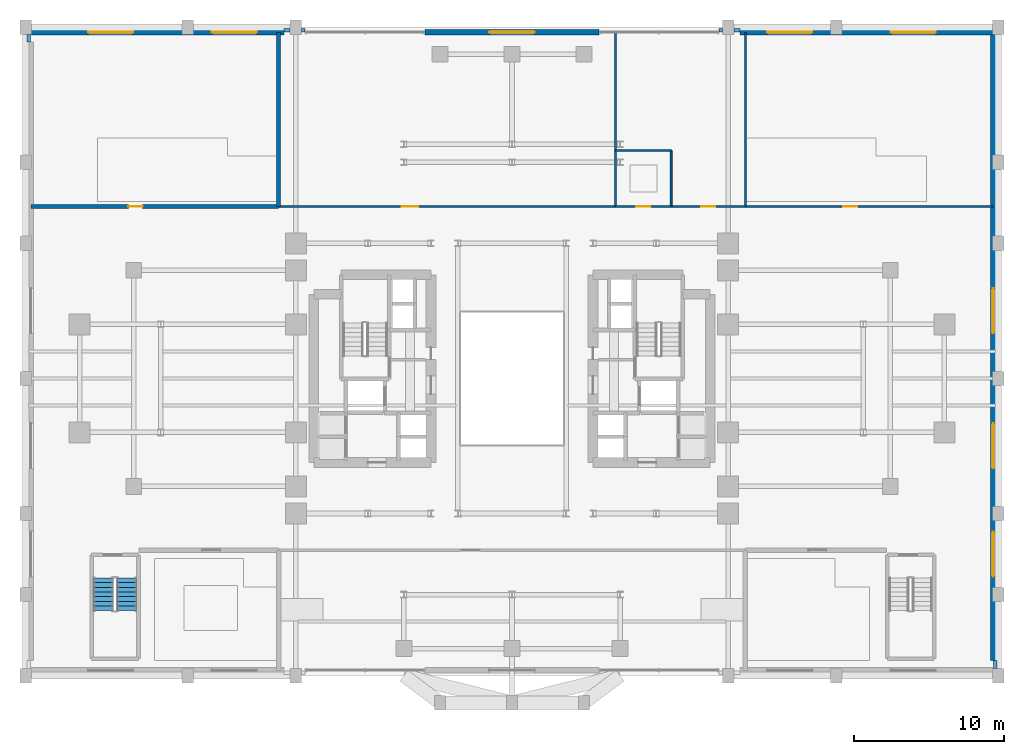
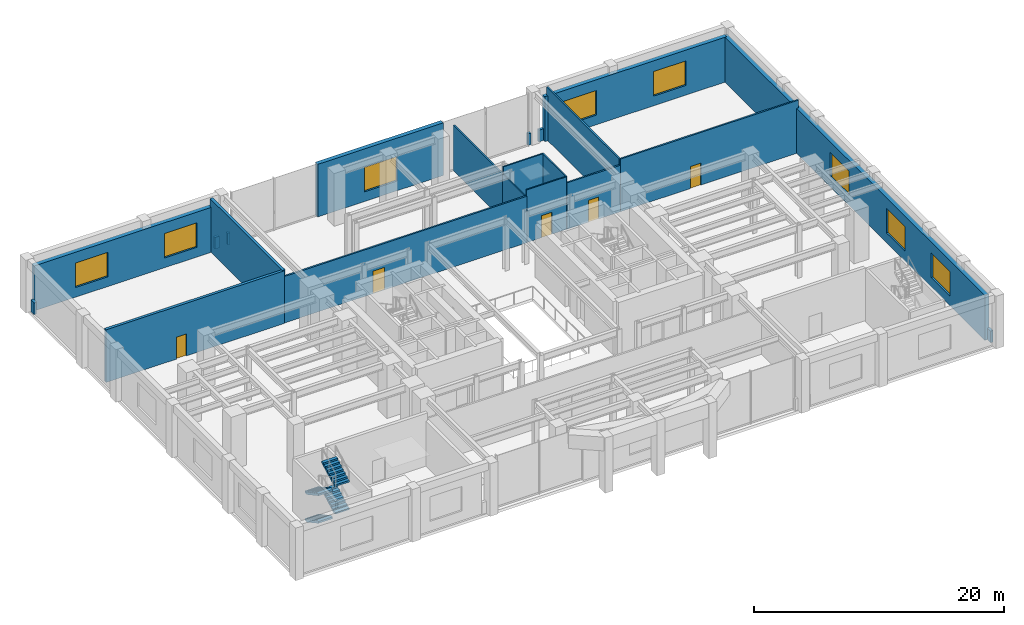
# One storey, part 12 of 16: 21 walls, 8 windows, 5 doors, 4 stair flights, 13 openings, 1 element without a shape of its own.
"""IFC4 building model written with IfcOpenShell, lengths in metres."""

from ifc_helpers import new_model, si_unit, direction, frame, frame_2d, origin, place, context, subcontext, project, spatial, polyline, rectangle, outline, extrude, source, transform, mapped, material, layer, layer_set, type_object, element, fill, aggregate, save


model = new_model("IFC4")

# Units and contexts
model_context = context("Model", 3, precision=1e-05, world=origin(), true_north=direction((0.0, 1.0)))
body_context = subcontext(model_context, "Body", "Model", "MODEL_VIEW")
ifc_project = project(units=[si_unit("LENGTHUNIT", "METRE"), si_unit("AREAUNIT", "SQUARE_METRE"), si_unit("VOLUMEUNIT", "CUBIC_METRE"), si_unit("PLANEANGLEUNIT", "RADIAN"), si_unit("MASSUNIT", "GRAM", prefix="KILO")], contexts=[model_context])

# Site, building, storey
site_placement = place(None, origin())
site = spatial("IfcSite", under=ifc_project, at=site_placement, CompositionType="ELEMENT")
building_placement = place(site_placement, origin())
building = spatial("IfcBuilding", under=site, at=building_placement, Name="Keilestroom Media Tower", CompositionType="ELEMENT")
storey_placement = place(building_placement, frame((0.0, 0.0, 10.199951171875)))
storey = spatial("IfcBuildingStorey", under=building, at=storey_placement, Name="L02", CompositionType="ELEMENT", Elevation=10.199951171875)

# Wall, opening, door
ifc_material_1 = material(Name="Concrete C45/55", Category="concrete")
ifc_layer_1 = layer(ifc_material_1, 0.25)
ifc_layer_set_1 = layer_set([ifc_layer_1], Name="Concrete C45/55")
wall_type_1 = type_object("IfcWallType", Name="Acoustic-Studio-Isolation-Wall-250", PredefinedType="SOLIDWALL", material=ifc_layer_set_1)
wall_1_placement = place(storey_placement, frame((-32.050048828125, 11.449951171875, 0.0), z_axis=(0.0, 0.0, 1.0), x_axis=(1.0, 0.0, 0.0)))
wall_1 = element("IfcWall", 1, at=wall_1_placement, inside=storey, type_object=wall_type_1, Name="L02 Interior Wall WP-L02-CTRL-NW-S", PredefinedType="SOLIDWALL", context=body_context, shape_type="SweptSolid", body=[
    extrude(rectangle(XDim=16.5, YDim=0.25, at=frame_2d((8.25, 0.0))), origin(), (0.0, 0.0, 1.0), 5.150146484375),
])
opening_1_placement = place(wall_1_placement, frame((6.5, 0.0, 0.0)))
opening_1 = element("IfcOpeningElement", 2, at=opening_1_placement, cuts=wall_1, Name="Opening DI-03", PredefinedType="OPENING", context=body_context, shape_type="SweptSolid", body=[
    extrude(rectangle(XDim=0.949951171875, YDim=2.14990234375, at=frame_2d((0.47509765625, 1.074951171875))), frame((0.0, 0.135009765625, 0.0), z_axis=(0.0, -1.0, 0.0), x_axis=(1.0, 0.0, 0.0)), (0.0, 0.0, 1.0), 0.27001953125),
])
ifc_material_2 = material(Name="Lacquered European Oak Leaf", Category="wood")
door_type_1 = type_object("IfcDoorType", Name="Interior-Room-And-Suite-Door-DI-03", OperationType="NOTDEFINED", PredefinedType="DOOR", material=ifc_material_2)
shared_shape_1 = source(origin(), body_context, "Body", "SweptSolid", [
    extrude(rectangle(XDim=0.949951171875, YDim=2.14990234375, at=frame_2d((0.47509765625, 1.074951171875))), frame((0.0, 0.02490234375, 0.0), z_axis=(0.0, -1.0, 0.0), x_axis=(1.0, 0.0, 0.0)), (0.0, 0.0, 1.0), 0.050048828125),
])
door_1_placement = place(opening_1_placement, origin())
door_1 = element("IfcDoor", 3, at=door_1_placement, inside=storey, type_object=door_type_1, Name="L02 Interior Door DI-L02-CTRL-NW-D", OperationType="SINGLE_SWING_LEFT", OverallHeight=2.14990234375, OverallWidth=0.949951171875, PredefinedType="DOOR", context=body_context, shape_type="MappedRepresentation", body=[
    mapped(shared_shape_1, transform((0.0, 0.0, 0.0), x_axis=(1.0, 0.0, 0.0), y_axis=(0.0, 1.0, 0.0), z_axis=(0.0, 0.0, 1.0), scale=1.0)),
])
fill(opening_1, door_1)

# Wall
wall_2_placement = place(storey_placement, frame((-15.550048828125, 11.449951171875, 0.0), z_axis=(0.0, 0.0, 1.0), x_axis=(0.0, 1.0, 0.0)))
element("IfcWall", 4, at=wall_2_placement, inside=storey, type_object=wall_type_1, Name="L02 Interior Wall WP-L02-CTRL-NW-E", PredefinedType="SOLIDWALL", context=body_context, shape_type="SweptSolid", body=[
    extrude(rectangle(XDim=11.60009765625, YDim=0.25, at=frame_2d((5.800048828125, 0.0))), origin(), (0.0, 0.0, 1.0), 5.150146484375),
])

# Wall, openings, windows
ifc_material_3 = material(Name="Precast concrete C40/50", Category="concrete")
ifc_layer_2 = layer(ifc_material_3, 0.3798828125)
ifc_layer_set_2 = layer_set([ifc_layer_2], Name="Precast concrete C40/50")
wall_type_2 = type_object("IfcWallType", Name="Exterior-Masonry-Spandrel-Wall-380", PredefinedType="SOLIDWALL", material=ifc_layer_set_2)
wall_3_placement = place(storey_placement, frame((-32.050048828125, 23.050048828125, 0.0), z_axis=(0.0, 0.0, 1.0), x_axis=(1.0, 0.0, 0.0)))
wall_3 = element("IfcWall", 5, at=wall_3_placement, inside=storey, type_object=wall_type_2, Name="L02 Podium Precast Masonry Wall EWL-L02-N-W", PredefinedType="SOLIDWALL", context=body_context, shape_type="SweptSolid", body=[
    extrude(rectangle(XDim=16.85009765625, YDim=0.3798828125, at=frame_2d((8.425048828125, 0.0))), origin(), (0.0, 0.0, 1.0), 4.400146484375),
])
opening_2_placement = place(wall_3_placement, frame((3.81201171875, 0.0, 0.949951171875)))
opening_2 = element("IfcOpeningElement", 6, at=opening_2_placement, cuts=wall_3, Name="Opening WN-05", PredefinedType="OPENING", context=body_context, shape_type="SweptSolid", body=[
    extrude(rectangle(XDim=3.0, YDim=2.39990234375, at=frame_2d((1.5, 1.199951171875))), frame((0.0, 0.199951171875, 0.0), z_axis=(0.0, -1.0, 0.0), x_axis=(1.0, 0.0, 0.0)), (0.0, 0.0, 1.0), 0.39990234375),
])
opening_3_placement = place(wall_3_placement, frame((12.06201171875, 0.0, 0.949951171875)))
opening_3 = element("IfcOpeningElement", 7, at=opening_3_placement, cuts=wall_3, Name="Opening WN-05", PredefinedType="OPENING", context=body_context, shape_type="SweptSolid", body=[
    extrude(rectangle(XDim=3.0, YDim=2.39990234375, at=frame_2d((1.5, 1.199951171875))), frame((0.0, 0.199951171875, 0.0), z_axis=(0.0, -1.0, 0.0), x_axis=(1.0, 0.0, 0.0)), (0.0, 0.0, 1.0), 0.39990234375),
])
ifc_material_4 = material(Name="Acoustic Studio Observation Window", Category="glass")
window_type = type_object("IfcWindowType", Name="Recessed-Punched-Window-WN-05", PartitioningType="TRIPLE_PANEL_VERTICAL", PredefinedType="WINDOW", material=ifc_material_4)
shared_shape_2 = source(origin(), body_context, "Body", "SweptSolid", [
    extrude(rectangle(XDim=3.0, YDim=2.39990234375, at=frame_2d((1.5, 1.199951171875))), frame((0.0, 0.030029296875, 0.0), z_axis=(0.0, -1.0, 0.0), x_axis=(1.0, 0.0, 0.0)), (0.0, 0.0, 1.0), 0.06005859375),
])
window_1_placement = place(opening_2_placement, origin())
window_1 = element("IfcWindow", 8, at=window_1_placement, inside=storey, type_object=window_type, Name="L02 Window WN-05 EWL-L02-N-W-1", OverallHeight=2.39990234375, OverallWidth=3.0, PartitioningType="SINGLE_PANEL", PredefinedType="WINDOW", context=body_context, shape_type="MappedRepresentation", body=[
    mapped(shared_shape_2, transform((0.0, 0.0, 0.0), x_axis=(1.0, 0.0, 0.0), y_axis=(0.0, 1.0, 0.0), z_axis=(0.0, 0.0, 1.0), scale=1.0)),
])
fill(opening_2, window_1)
window_2_placement = place(opening_3_placement, origin())
window_2 = element("IfcWindow", 9, at=window_2_placement, inside=storey, type_object=window_type, Name="L02 Window WN-05 EWL-L02-N-W-2", OverallHeight=2.39990234375, OverallWidth=3.0, PartitioningType="SINGLE_PANEL", PredefinedType="WINDOW", context=body_context, shape_type="MappedRepresentation", body=[
    mapped(shared_shape_2, transform((0.0, 0.0, 0.0), x_axis=(1.0, 0.0, 0.0), y_axis=(0.0, 1.0, 0.0), z_axis=(0.0, 0.0, 1.0), scale=1.0)),
])
fill(opening_3, window_2)

wall_4_placement = place(storey_placement, frame((15.199951171875, 23.050048828125, 0.0), z_axis=(0.0, 0.0, 1.0), x_axis=(1.0, 0.0, 0.0)))
wall_4 = element("IfcWall", 10, at=wall_4_placement, inside=storey, type_object=wall_type_2, Name="L02 Podium Precast Masonry Wall EWL-L02-N-E", PredefinedType="SOLIDWALL", context=body_context, shape_type="SweptSolid", body=[
    extrude(rectangle(XDim=16.85009765625, YDim=0.3798828125, at=frame_2d((8.425048828125, 0.0))), origin(), (0.0, 0.0, 1.0), 4.400146484375),
])
opening_4_placement = place(wall_4_placement, frame((1.7880859375, 0.0, 0.949951171875)))
opening_4 = element("IfcOpeningElement", 11, at=opening_4_placement, cuts=wall_4, Name="Opening WN-05", PredefinedType="OPENING", context=body_context, shape_type="SweptSolid", body=[
    extrude(rectangle(XDim=3.0, YDim=2.39990234375, at=frame_2d((1.5, 1.199951171875))), frame((0.0, 0.199951171875, 0.0), z_axis=(0.0, -1.0, 0.0), x_axis=(1.0, 0.0, 0.0)), (0.0, 0.0, 1.0), 0.39990234375),
])
opening_5_placement = place(wall_4_placement, frame((10.037109375, 0.0, 0.949951171875)))
opening_5 = element("IfcOpeningElement", 12, at=opening_5_placement, cuts=wall_4, Name="Opening WN-05", PredefinedType="OPENING", context=body_context, shape_type="SweptSolid", body=[
    extrude(rectangle(XDim=3.0, YDim=2.39990234375, at=frame_2d((1.5, 1.199951171875))), frame((0.0, 0.199951171875, 0.0), z_axis=(0.0, -1.0, 0.0), x_axis=(1.0, 0.0, 0.0)), (0.0, 0.0, 1.0), 0.39990234375),
])
window_3_placement = place(opening_4_placement, origin())
window_3 = element("IfcWindow", 13, at=window_3_placement, inside=storey, type_object=window_type, Name="L02 Window WN-05 EWL-L02-N-E-1", OverallHeight=2.39990234375, OverallWidth=3.0, PartitioningType="SINGLE_PANEL", PredefinedType="WINDOW", context=body_context, shape_type="MappedRepresentation", body=[
    mapped(shared_shape_2, transform((0.0, 0.0, 0.0), x_axis=(1.0, 0.0, 0.0), y_axis=(0.0, 1.0, 0.0), z_axis=(0.0, 0.0, 1.0), scale=1.0)),
])
fill(opening_4, window_3)
window_4_placement = place(opening_5_placement, origin())
window_4 = element("IfcWindow", 14, at=window_4_placement, inside=storey, type_object=window_type, Name="L02 Window WN-05 EWL-L02-N-E-2", OverallHeight=2.39990234375, OverallWidth=3.0, PartitioningType="SINGLE_PANEL", PredefinedType="WINDOW", context=body_context, shape_type="MappedRepresentation", body=[
    mapped(shared_shape_2, transform((0.0, 0.0, 0.0), x_axis=(1.0, 0.0, 0.0), y_axis=(0.0, 1.0, 0.0), z_axis=(0.0, 0.0, 1.0), scale=1.0)),
])
fill(opening_5, window_4)

wall_5_placement = place(storey_placement, frame((32.050048828125, -18.800048828125, 0.0), z_axis=(0.0, 0.0, 1.0), x_axis=(0.0, 1.0, 0.0)))
wall_5 = element("IfcWall", 15, at=wall_5_placement, inside=storey, type_object=wall_type_2, Name="L02 Podium Precast Masonry Wall EWL-L02-E-M", PredefinedType="SOLIDWALL", context=body_context, shape_type="SweptSolid", body=[
    extrude(rectangle(XDim=42.0, YDim=0.3798828125, at=frame_2d((21.0, 0.0))), origin(), (0.0, 0.0, 1.0), 4.400146484375),
])
opening_6_placement = place(wall_5_placement, frame((5.60009765625, 0.0, 0.949951171875)))
opening_6 = element("IfcOpeningElement", 16, at=opening_6_placement, cuts=wall_5, Name="Opening WN-05", PredefinedType="OPENING", context=body_context, shape_type="SweptSolid", body=[
    extrude(rectangle(XDim=3.0, YDim=2.39990234375, at=frame_2d((1.5, 1.199951171875))), frame((0.0, 0.199951171875, 0.0), z_axis=(0.0, -1.0, 0.0), x_axis=(1.0, 0.0, 0.0)), (0.0, 0.0, 1.0), 0.39990234375),
])
opening_7_placement = place(wall_5_placement, frame((12.800048828125, 0.0, 0.949951171875)))
opening_7 = element("IfcOpeningElement", 17, at=opening_7_placement, cuts=wall_5, Name="Opening WN-05", PredefinedType="OPENING", context=body_context, shape_type="SweptSolid", body=[
    extrude(rectangle(XDim=3.0, YDim=2.39990234375, at=frame_2d((1.5, 1.199951171875))), frame((0.0, 0.199951171875, 0.0), z_axis=(0.0, -1.0, 0.0), x_axis=(1.0, 0.0, 0.0)), (0.0, 0.0, 1.0), 0.39990234375),
])
opening_8_placement = place(wall_5_placement, frame((21.800048828125, 0.0, 0.949951171875)))
opening_8 = element("IfcOpeningElement", 18, at=opening_8_placement, cuts=wall_5, Name="Opening WN-05", PredefinedType="OPENING", context=body_context, shape_type="SweptSolid", body=[
    extrude(rectangle(XDim=3.0, YDim=2.39990234375, at=frame_2d((1.5, 1.199951171875))), frame((0.0, 0.199951171875, 0.0), z_axis=(0.0, -1.0, 0.0), x_axis=(1.0, 0.0, 0.0)), (0.0, 0.0, 1.0), 0.39990234375),
])
window_5_placement = place(opening_6_placement, origin())
window_5 = element("IfcWindow", 19, at=window_5_placement, inside=storey, type_object=window_type, Name="L02 Window WN-05 EWL-L02-E-M-1", OverallHeight=2.39990234375, OverallWidth=3.0, PartitioningType="SINGLE_PANEL", PredefinedType="WINDOW", context=body_context, shape_type="MappedRepresentation", body=[
    mapped(shared_shape_2, transform((0.0, 0.0, 0.0), x_axis=(1.0, 0.0, 0.0), y_axis=(0.0, 1.0, 0.0), z_axis=(0.0, 0.0, 1.0), scale=1.0)),
])
fill(opening_6, window_5)
window_6_placement = place(opening_7_placement, origin())
window_6 = element("IfcWindow", 20, at=window_6_placement, inside=storey, type_object=window_type, Name="L02 Window WN-05 EWL-L02-E-M-2", OverallHeight=2.39990234375, OverallWidth=3.0, PartitioningType="SINGLE_PANEL", PredefinedType="WINDOW", context=body_context, shape_type="MappedRepresentation", body=[
    mapped(shared_shape_2, transform((0.0, 0.0, 0.0), x_axis=(1.0, 0.0, 0.0), y_axis=(0.0, 1.0, 0.0), z_axis=(0.0, 0.0, 1.0), scale=1.0)),
])
fill(opening_7, window_6)
window_7_placement = place(opening_8_placement, origin())
window_7 = element("IfcWindow", 21, at=window_7_placement, inside=storey, type_object=window_type, Name="L02 Window WN-05 EWL-L02-E-M-3", OverallHeight=2.39990234375, OverallWidth=3.0, PartitioningType="SINGLE_PANEL", PredefinedType="WINDOW", context=body_context, shape_type="MappedRepresentation", body=[
    mapped(shared_shape_2, transform((0.0, 0.0, 0.0), x_axis=(1.0, 0.0, 0.0), y_axis=(0.0, 1.0, 0.0), z_axis=(0.0, 0.0, 1.0), scale=1.0)),
])
fill(opening_8, window_7)

# Wall, opening, window
wall_6_placement = place(storey_placement, frame((-5.804931640625, 23.050048828125, 0.0), z_axis=(0.0, 0.0, 1.0), x_axis=(1.0, 0.0, 0.0)))
wall_6 = element("IfcWall", 22, at=wall_6_placement, inside=storey, type_object=wall_type_2, Name="L02 Podium Precast Masonry Wall EWL-L02-N-C-1", PredefinedType="SOLIDWALL", context=body_context, shape_type="SweptSolid", body=[
    extrude(rectangle(XDim=11.60986328125, YDim=0.3798828125, at=frame_2d((5.804931640625, 0.0))), origin(), (0.0, 0.0, 1.0), 5.150146484375),
])
opening_9_placement = place(wall_6_placement, frame((4.304931640625, 0.0, 0.949951171875)))
opening_9 = element("IfcOpeningElement", 23, at=opening_9_placement, cuts=wall_6, Name="Opening WN-05", PredefinedType="OPENING", context=body_context, shape_type="SweptSolid", body=[
    extrude(rectangle(XDim=3.0, YDim=2.39990234375, at=frame_2d((1.5, 1.199951171875))), frame((0.0, 0.199951171875, 0.0), z_axis=(0.0, -1.0, 0.0), x_axis=(1.0, 0.0, 0.0)), (0.0, 0.0, 1.0), 0.39990234375),
])
window_8_placement = place(opening_9_placement, origin())
window_8 = element("IfcWindow", 24, at=window_8_placement, inside=storey, type_object=window_type, Name="L02 Window WN-05 EWL-L02-N-C-1-1", OverallHeight=2.39990234375, OverallWidth=3.0, PartitioningType="SINGLE_PANEL", PredefinedType="WINDOW", context=body_context, shape_type="MappedRepresentation", body=[
    mapped(shared_shape_2, transform((0.0, 0.0, 0.0), x_axis=(1.0, 0.0, 0.0), y_axis=(0.0, 1.0, 0.0), z_axis=(0.0, 0.0, 1.0), scale=1.0)),
])
fill(opening_9, window_8)

# Wall, opening, door
ifc_material_5 = material(Name="Gypsum Plasterboard & Steel Stud", Category="steel")
ifc_layer_3 = layer(ifc_material_5, 0.1201171875)
ifc_layer_set_3 = layer_set([ifc_layer_3], Name="Gypsum Plasterboard & Steel Stud")
wall_type_3 = type_object("IfcWallType", Name="Interior-Partition-Wall-120", PredefinedType="PARTITIONING", material=ifc_layer_set_3)
wall_7_placement = place(storey_placement, frame((6.89990234375, 11.449951171875, 0.0), z_axis=(0.0, 0.0, 1.0), x_axis=(1.0, 0.0, 0.0)))
wall_7 = element("IfcWall", 25, at=wall_7_placement, inside=storey, type_object=wall_type_3, Name="L02 Interior Wall WP-L02-WC-POD-S", PredefinedType="PARTITIONING", context=body_context, shape_type="SweptSolid", body=[
    extrude(rectangle(XDim=3.7001953125, YDim=0.1201171875, at=frame_2d((1.85009765625, 0.0))), origin(), (0.0, 0.0, 1.0), 5.150146484375),
])
opening_10_placement = place(wall_7_placement, frame((1.375, 0.0, 0.0)))
opening_10 = element("IfcOpeningElement", 26, at=opening_10_placement, cuts=wall_7, Name="Opening DI-03", PredefinedType="OPENING", context=body_context, shape_type="SweptSolid", body=[
    extrude(rectangle(XDim=0.949951171875, YDim=2.14990234375, at=frame_2d((0.47509765625, 1.074951171875))), frame((0.0, 0.070068359375, 0.0), z_axis=(0.0, -1.0, 0.0), x_axis=(1.0, 0.0, 0.0)), (0.0, 0.0, 1.0), 0.14013671875),
])
door_2_placement = place(opening_10_placement, origin())
door_2 = element("IfcDoor", 27, at=door_2_placement, inside=storey, type_object=door_type_1, Name="L02 Interior Door DI-L02-DWC-POD", OperationType="SINGLE_SWING_RIGHT", OverallHeight=2.14990234375, OverallWidth=0.949951171875, PredefinedType="DOOR", context=body_context, shape_type="MappedRepresentation", body=[
    mapped(shared_shape_1, transform((0.0, 0.0, 0.0), x_axis=(1.0, 0.0, 0.0), y_axis=(0.0, 1.0, 0.0), z_axis=(0.0, 0.0, 1.0), scale=1.0)),
])
fill(opening_10, door_2)

# Walls
wall_8_placement = place(storey_placement, frame((6.89990234375, 15.179931640625, 0.0), z_axis=(0.0, 0.0, 1.0), x_axis=(1.0, 0.0, 0.0)))
element("IfcWall", 28, at=wall_8_placement, inside=storey, type_object=wall_type_3, Name="L02 Interior Wall WP-L02-WC-POD-N", PredefinedType="PARTITIONING", context=body_context, shape_type="SweptSolid", body=[
    extrude(rectangle(XDim=3.7001953125, YDim=0.1201171875, at=frame_2d((1.85009765625, 0.0))), origin(), (0.0, 0.0, 1.0), 5.150146484375),
])
wall_9_placement = place(storey_placement, frame((6.89990234375, 11.449951171875, 0.0), z_axis=(0.0, 0.0, 1.0), x_axis=(0.0, 1.0, 0.0)))
element("IfcWall", 29, at=wall_9_placement, inside=storey, type_object=wall_type_3, Name="L02 Interior Wall WP-L02-WC-POD-W", PredefinedType="PARTITIONING", context=body_context, shape_type="SweptSolid", body=[
    extrude(rectangle(XDim=3.72998046875, YDim=0.1201171875, at=frame_2d((1.864990234375, 0.0))), origin(), (0.0, 0.0, 1.0), 4.449951171875),
])
wall_10_placement = place(storey_placement, frame((10.60009765625, 11.449951171875, 0.0), z_axis=(0.0, 0.0, 1.0), x_axis=(0.0, 1.0, 0.0)))
element("IfcWall", 30, at=wall_10_placement, inside=storey, type_object=wall_type_3, Name="L02 Interior Wall WP-L02-WC-POD-E", PredefinedType="PARTITIONING", context=body_context, shape_type="SweptSolid", body=[
    extrude(rectangle(XDim=3.72998046875, YDim=0.1201171875, at=frame_2d((1.864990234375, 0.0))), origin(), (0.0, 0.0, 1.0), 5.150146484375),
])

# Wall, opening, door
ifc_layer_4 = layer(ifc_material_5, 0.14990234375)
ifc_layer_set_4 = layer_set([ifc_layer_4], Name="Gypsum Plasterboard & Steel Stud")
wall_type_4 = type_object("IfcWallType", Name="Interior-Partition-Wall-150", PredefinedType="PARTITIONING", material=ifc_layer_set_4)
wall_11_placement = place(storey_placement, frame((15.550048828125, 11.449951171875, 0.0), z_axis=(0.0, 0.0, 1.0), x_axis=(1.0, 0.0, 0.0)))
wall_11 = element("IfcWall", 31, at=wall_11_placement, inside=storey, type_object=wall_type_4, Name="L02 Interior Wall WP-L02-EDIT-NE-S", PredefinedType="PARTITIONING", context=body_context, shape_type="SweptSolid", body=[
    extrude(rectangle(XDim=16.5, YDim=0.14990234375, at=frame_2d((8.25, 0.0))), origin(), (0.0, 0.0, 1.0), 5.150146484375),
])
opening_11_placement = place(wall_11_placement, frame((6.5, 0.0, 0.0)))
opening_11 = element("IfcOpeningElement", 32, at=opening_11_placement, cuts=wall_11, Name="Opening DI-03", PredefinedType="OPENING", context=body_context, shape_type="SweptSolid", body=[
    extrude(rectangle(XDim=0.949951171875, YDim=2.14990234375, at=frame_2d((0.47509765625, 1.074951171875))), frame((0.0, 0.0849609375, 0.0), z_axis=(0.0, -1.0, 0.0), x_axis=(1.0, 0.0, 0.0)), (0.0, 0.0, 1.0), 0.169921875),
])
door_3_placement = place(opening_11_placement, origin())
door_3 = element("IfcDoor", 33, at=door_3_placement, inside=storey, type_object=door_type_1, Name="L02 Interior Door DI-L02-EDIT-NE-D", OperationType="SINGLE_SWING_RIGHT", OverallHeight=2.14990234375, OverallWidth=0.949951171875, PredefinedType="DOOR", context=body_context, shape_type="MappedRepresentation", body=[
    mapped(shared_shape_1, transform((0.0, 0.0, 0.0), x_axis=(1.0, 0.0, 0.0), y_axis=(0.0, 1.0, 0.0), z_axis=(0.0, 0.0, 1.0), scale=1.0)),
])
fill(opening_11, door_3)

# Wall
wall_12_placement = place(storey_placement, frame((15.550048828125, 11.449951171875, 0.0), z_axis=(0.0, 0.0, 1.0), x_axis=(0.0, 1.0, 0.0)))
element("IfcWall", 34, at=wall_12_placement, inside=storey, type_object=wall_type_4, Name="L02 Interior Wall WP-L02-EDIT-NE-W", PredefinedType="PARTITIONING", context=body_context, shape_type="SweptSolid", body=[
    extrude(rectangle(XDim=11.60009765625, YDim=0.14990234375, at=frame_2d((5.800048828125, 0.0))), origin(), (0.0, 0.0, 1.0), 5.150146484375),
])

# Wall, opening, door
wall_13_placement = place(storey_placement, frame((-15.550048828125, 11.449951171875, 0.0), z_axis=(0.0, 0.0, 1.0), x_axis=(1.0, 0.0, 0.0)))
wall_13 = element("IfcWall", 35, at=wall_13_placement, inside=storey, type_object=wall_type_4, Name="L02 Interior Wall WP-L02-GREEN-N-S", PredefinedType="PARTITIONING", context=body_context, shape_type="SweptSolid", body=[
    extrude(rectangle(XDim=22.449951171875, YDim=0.14990234375, at=frame_2d((11.22509765625, 0.0))), origin(), (0.0, 0.0, 1.0), 4.550048828125),
])
opening_12_placement = place(wall_13_placement, frame((8.199951171875, 0.0, 0.0)))
opening_12 = element("IfcOpeningElement", 36, at=opening_12_placement, cuts=wall_13, Name="Opening DI-04", PredefinedType="OPENING", context=body_context, shape_type="SweptSolid", body=[
    extrude(rectangle(XDim=1.10009765625, YDim=2.199951171875, at=frame_2d((0.550048828125, 1.10009765625))), frame((0.0, 0.0849609375, 0.0), z_axis=(0.0, -1.0, 0.0), x_axis=(1.0, 0.0, 0.0)), (0.0, 0.0, 1.0), 0.169921875),
])
ifc_material_6 = material(Name="Acoustic Glazed Aluminium Leaf", Category="aluminium")
door_type_2 = type_object("IfcDoorType", Name="Interior-Room-And-Suite-Door-DI-04", OperationType="NOTDEFINED", PredefinedType="DOOR", material=ifc_material_6)
shared_shape_3 = source(origin(), body_context, "Body", "SweptSolid", [
    extrude(rectangle(XDim=1.10009765625, YDim=2.199951171875, at=frame_2d((0.550048828125, 1.10009765625))), frame((0.0, 0.02490234375, 0.0), z_axis=(0.0, -1.0, 0.0), x_axis=(1.0, 0.0, 0.0)), (0.0, 0.0, 1.0), 0.050048828125),
])
door_4_placement = place(opening_12_placement, origin())
door_4 = element("IfcDoor", 37, at=door_4_placement, inside=storey, type_object=door_type_2, Name="L02 Interior Door DI-L02-GREEN-N-D", OperationType="SINGLE_SWING_LEFT", OverallHeight=2.199951171875, OverallWidth=1.10009765625, PredefinedType="DOOR", context=body_context, shape_type="MappedRepresentation", body=[
    mapped(shared_shape_3, transform((0.0, 0.0, 0.0), x_axis=(1.0, 0.0, 0.0), y_axis=(0.0, 1.0, 0.0), z_axis=(0.0, 0.0, 1.0), scale=1.0)),
])
fill(opening_12, door_4)

# Wall
wall_14_placement = place(storey_placement, frame((6.89990234375, 15.179931640625, 0.0), z_axis=(0.0, 0.0, 1.0), x_axis=(0.0, 1.0, 0.0)))
element("IfcWall", 38, at=wall_14_placement, inside=storey, type_object=wall_type_4, Name="L02 Interior Wall WP-L02-GREEN-N-E", PredefinedType="PARTITIONING", context=body_context, shape_type="SweptSolid", body=[
    extrude(rectangle(XDim=7.8701171875, YDim=0.14990234375, at=frame_2d((3.93505859375, 0.0))), origin(), (0.0, 0.0, 1.0), 4.449951171875),
])

# Wall, opening, door
wall_15_placement = place(storey_placement, frame((10.60009765625, 11.449951171875, 0.0), z_axis=(0.0, 0.0, 1.0), x_axis=(1.0, 0.0, 0.0)))
wall_15 = element("IfcWall", 39, at=wall_15_placement, inside=storey, type_object=wall_type_4, Name="L02 Interior Wall WP-L02-WARD-NE-S", PredefinedType="PARTITIONING", context=body_context, shape_type="SweptSolid", body=[
    extrude(rectangle(XDim=4.949951171875, YDim=0.14990234375, at=frame_2d((2.47509765625, 0.0))), origin(), (0.0, 0.0, 1.0), 4.550048828125),
])
opening_13_placement = place(wall_15_placement, frame((2.0, 0.0, 0.0)))
opening_13 = element("IfcOpeningElement", 40, at=opening_13_placement, cuts=wall_15, Name="Opening DI-03", PredefinedType="OPENING", context=body_context, shape_type="SweptSolid", body=[
    extrude(rectangle(XDim=0.949951171875, YDim=2.14990234375, at=frame_2d((0.47509765625, 1.074951171875))), frame((0.0, 0.0849609375, 0.0), z_axis=(0.0, -1.0, 0.0), x_axis=(1.0, 0.0, 0.0)), (0.0, 0.0, 1.0), 0.169921875),
])
door_5_placement = place(opening_13_placement, origin())
door_5 = element("IfcDoor", 41, at=door_5_placement, inside=storey, type_object=door_type_1, Name="L02 Interior Door DI-L02-WARD-NE-D", OperationType="SINGLE_SWING_RIGHT", OverallHeight=2.14990234375, OverallWidth=0.949951171875, PredefinedType="DOOR", context=body_context, shape_type="MappedRepresentation", body=[
    mapped(shared_shape_1, transform((0.0, 0.0, 0.0), x_axis=(1.0, 0.0, 0.0), y_axis=(0.0, 1.0, 0.0), z_axis=(0.0, 0.0, 1.0), scale=1.0)),
])
fill(opening_13, door_5)

# Walls
ifc_layer_5 = layer(ifc_material_3, 0.239990234375)
ifc_layer_set_5 = layer_set([ifc_layer_5], Name="Precast concrete C40/50")
wall_type_5 = type_object("IfcWallType", Name="Roof-And-Terrace-Parapet-Wall-240", PredefinedType="PARAPET", material=ifc_layer_set_5)
wall_16_placement = place(storey_placement, frame((-32.199951171875, 22.403076171875, 0.0), z_axis=(0.0, 0.0, 1.0), x_axis=(0.0, 1.0, 0.0)))
element("IfcWall", 42, at=wall_16_placement, inside=storey, type_object=wall_type_5, Name="L02 Perimeter Edge Parapet Wall 02", PredefinedType="PARAPET", context=body_context, shape_type="SweptSolid", body=[
    extrude(rectangle(XDim=0.51904296875, YDim=0.239990234375, at=frame_2d((0.259521484375, 0.0))), origin(), (0.0, 0.0, 1.0), 1.150146484375),
])
wall_17_placement = place(storey_placement, frame((-15.197021484375, 23.199951171875, 0.0), z_axis=(0.0, 0.0, 1.0), x_axis=(1.0, 0.0, 0.0)))
element("IfcWall", 43, at=wall_17_placement, inside=storey, type_object=wall_type_5, Name="L02 Perimeter Edge Parapet Wall 03", PredefinedType="PARAPET", context=body_context, shape_type="SweptSolid", body=[
    extrude(rectangle(XDim=0.4189453125, YDim=0.239990234375, at=frame_2d((0.20947265625, 0.0))), origin(), (0.0, 0.0, 1.0), 1.150146484375),
])
for number, where, z_axis, x_axis, name in (
    (44, (-14.02197265625, 23.199951171875, 0.0), (0.0, 0.0, 1.0), (1.0, 0.0, 0.0), "L02 Perimeter Edge Parapet Wall 04"),
    (45, (13.782958984375, 23.199951171875, 0.0), (0.0, 0.0, 1.0), (1.0, 0.0, 0.0), "L02 Perimeter Edge Parapet Wall 05"),
):
    element("IfcWall", number, at=place(storey_placement, frame(where, z_axis=z_axis, x_axis=x_axis)), inside=storey, type_object=wall_type_5, Name=name, PredefinedType="PARAPET", context=body_context, shape_type="SweptSolid", body=[
        extrude(rectangle(XDim=0.239013671875, YDim=0.239990234375, at=frame_2d((0.11962890625, 0.0))), origin(), (0.0, 0.0, 1.0), 1.150146484375),
    ])
wall_18_placement = place(storey_placement, frame((14.778076171875, 23.199951171875, 0.0), z_axis=(0.0, 0.0, 1.0), x_axis=(1.0, 0.0, 0.0)))
element("IfcWall", 46, at=wall_18_placement, inside=storey, type_object=wall_type_5, Name="L02 Perimeter Edge Parapet Wall 06", PredefinedType="PARAPET", context=body_context, shape_type="SweptSolid", body=[
    extrude(rectangle(XDim=0.4189453125, YDim=0.239990234375, at=frame_2d((0.20947265625, 0.0))), origin(), (0.0, 0.0, 1.0), 1.150146484375),
])
wall_19_placement = place(storey_placement, frame((32.199951171875, -18.802978515625, 0.0), z_axis=(0.0, 0.0, 1.0), x_axis=(0.0, -1.0, 0.0)))
element("IfcWall", 47, at=wall_19_placement, inside=storey, type_object=wall_type_5, Name="L02 Perimeter Edge Parapet Wall 07", PredefinedType="PARAPET", context=body_context, shape_type="SweptSolid", body=[
    extrude(rectangle(XDim=0.51904296875, YDim=0.239990234375, at=frame_2d((0.259521484375, 0.0))), origin(), (0.0, 0.0, 1.0), 1.150146484375),
])

# Stair, stair flights
stair_type = type_object("IfcStairType", Name="Enclosed-Dog-Leg-Stair-ST-POD", PredefinedType="HALF_TURN_STAIR", material=ifc_material_1)
stair_placement = place(storey_placement, origin())
stair = element("IfcStair", 48, at=stair_placement, inside=storey, type_object=stair_type, Name="L02 Podium West Studio Escape Stair ST-3", PredefinedType="HALF_TURN_STAIR")
stair_flight_type = type_object("IfcStairFlightType", Name="Precast-Concrete-Stair-Flight-Podium-160", PredefinedType="STRAIGHT", material=ifc_material_3)
stair_flight_1_placement = place(storey_placement, frame((-27.219970703125, -13.2900390625, 0.0), z_axis=(0.0, 0.0, 1.0), x_axis=(0.0, -1.0, 0.0)))
stair_flight_1 = element("IfcStairFlight", 49, at=stair_flight_1_placement, type_object=stair_flight_type, Name="ST-3 flight 1", NumberOfRisers=8, NumberOfTreads=7, PredefinedType="STRAIGHT", RiserHeight=0.16875, TreadLength=0.312, context=body_context, shape_type="SweptSolid", body=[
    extrude(outline(polyline([(0.0, 0.0), (0.0, 0.168701171875), (0.31201171875, 0.168701171875), (0.31201171875, 0.33740234375), (0.6240234375, 0.33740234375), (0.6240234375, 0.50634765625), (0.93603515625, 0.50634765625), (0.93603515625, 0.675048828125), (1.248046875, 0.675048828125), (1.248046875, 0.84375), (1.56005859375, 0.84375), (1.56005859375, 1.012451171875), (1.8720703125, 1.012451171875), (1.8720703125, 1.18115234375), (2.18408203125, 1.18115234375), (2.18408203125, 1.35009765625), (2.18408203125, 0.99951171875), (0.336181640625, 0.0), (0.0, 0.0)])), frame((0.0, 0.66015625, 0.0), z_axis=(0.0, -1.0, 0.0), x_axis=(1.0, 0.0, 0.0)), (0.0, 0.0, 1.0), 1.320068359375),
])
stair_flight_2_placement = place(storey_placement, frame((-25.659912109375, -15.47412109375, 1.35009765625), z_axis=(0.0, 0.0, 1.0), x_axis=(0.0, 1.0, 0.0)))
stair_flight_2 = element("IfcStairFlight", 50, at=stair_flight_2_placement, type_object=stair_flight_type, Name="ST-3 flight 2", NumberOfRisers=8, NumberOfTreads=7, PredefinedType="STRAIGHT", RiserHeight=0.16875, TreadLength=0.312, context=body_context, shape_type="SweptSolid", body=[
    extrude(outline(polyline([(0.0, 0.0), (0.0, 0.168701171875), (0.31201171875, 0.168701171875), (0.31201171875, 0.33740234375), (0.6240234375, 0.33740234375), (0.6240234375, 0.50634765625), (0.93603515625, 0.50634765625), (0.93603515625, 0.675048828125), (1.248046875, 0.675048828125), (1.248046875, 0.84375), (1.56005859375, 0.84375), (1.56005859375, 1.012451171875), (1.8720703125, 1.012451171875), (1.8720703125, 1.18115234375), (2.18408203125, 1.18115234375), (2.18408203125, 1.35009765625), (2.18408203125, 0.99951171875), (0.336181640625, 0.0), (0.0, 0.0)])), frame((0.0, 0.66015625, 0.0), z_axis=(0.0, -1.0, 0.0), x_axis=(1.0, 0.0, 0.0)), (0.0, 0.0, 1.0), 1.320068359375),
])
stair_flight_3_placement = place(storey_placement, frame((-27.219970703125, -13.2900390625, 2.699951171875), z_axis=(0.0, 0.0, 1.0), x_axis=(0.0, -1.0, 0.0)))
stair_flight_3 = element("IfcStairFlight", 51, at=stair_flight_3_placement, type_object=stair_flight_type, Name="ST-3 flight 3", NumberOfRisers=8, NumberOfTreads=7, PredefinedType="STRAIGHT", RiserHeight=0.16875, TreadLength=0.312, context=body_context, shape_type="SweptSolid", body=[
    extrude(outline(polyline([(0.0, 0.0), (0.0, 0.168701171875), (0.31201171875, 0.168701171875), (0.31201171875, 0.33740234375), (0.6240234375, 0.33740234375), (0.6240234375, 0.50634765625), (0.93603515625, 0.50634765625), (0.93603515625, 0.675048828125), (1.248046875, 0.675048828125), (1.248046875, 0.84375), (1.56005859375, 0.84375), (1.56005859375, 1.012451171875), (1.8720703125, 1.012451171875), (1.8720703125, 1.18115234375), (2.18408203125, 1.18115234375), (2.18408203125, 1.35009765625), (2.18408203125, 0.99951171875), (0.336181640625, 0.0), (0.0, 0.0)])), frame((0.0, 0.66015625, 0.0), z_axis=(0.0, -1.0, 0.0), x_axis=(1.0, 0.0, 0.0)), (0.0, 0.0, 1.0), 1.320068359375),
])
stair_flight_4_placement = place(storey_placement, frame((-25.659912109375, -15.47412109375, 4.050048828125), z_axis=(0.0, 0.0, 1.0), x_axis=(0.0, 1.0, 0.0)))
stair_flight_4 = element("IfcStairFlight", 52, at=stair_flight_4_placement, type_object=stair_flight_type, Name="ST-3 flight 4", NumberOfRisers=8, NumberOfTreads=7, PredefinedType="STRAIGHT", RiserHeight=0.16875, TreadLength=0.312, context=body_context, shape_type="SweptSolid", body=[
    extrude(outline(polyline([(0.0, 0.0), (0.0, 0.168701171875), (0.31201171875, 0.168701171875), (0.31201171875, 0.33740234375), (0.6240234375, 0.33740234375), (0.6240234375, 0.50634765625), (0.93603515625, 0.50634765625), (0.93603515625, 0.675048828125), (1.248046875, 0.675048828125), (1.248046875, 0.84375), (1.56005859375, 0.84375), (1.56005859375, 1.012451171875), (1.8720703125, 1.012451171875), (1.8720703125, 1.18115234375), (2.18408203125, 1.18115234375), (2.18408203125, 1.35009765625), (2.18408203125, 0.99951171875), (0.336181640625, 0.0), (0.0, 0.0)])), frame((0.0, 0.66015625, 0.0), z_axis=(0.0, -1.0, 0.0), x_axis=(1.0, 0.0, 0.0)), (0.0, 0.0, 1.0), 1.320068359375),
])
aggregate(stair, [stair_flight_1, stair_flight_2, stair_flight_3, stair_flight_4])

save(model, "model.ifc")
